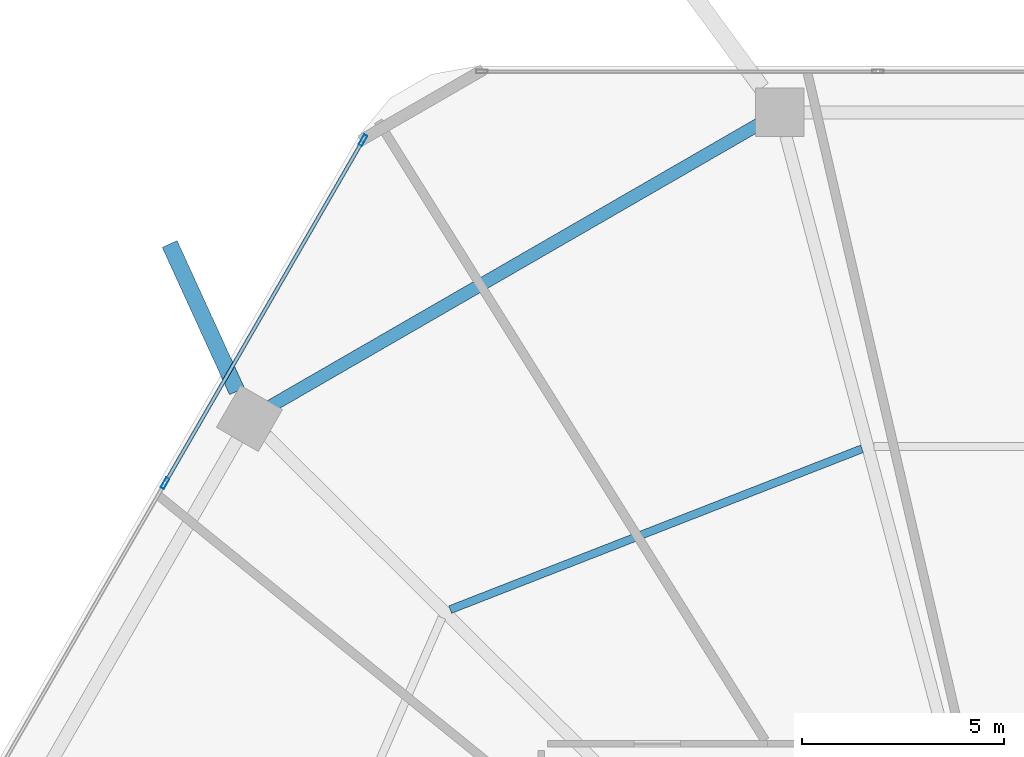
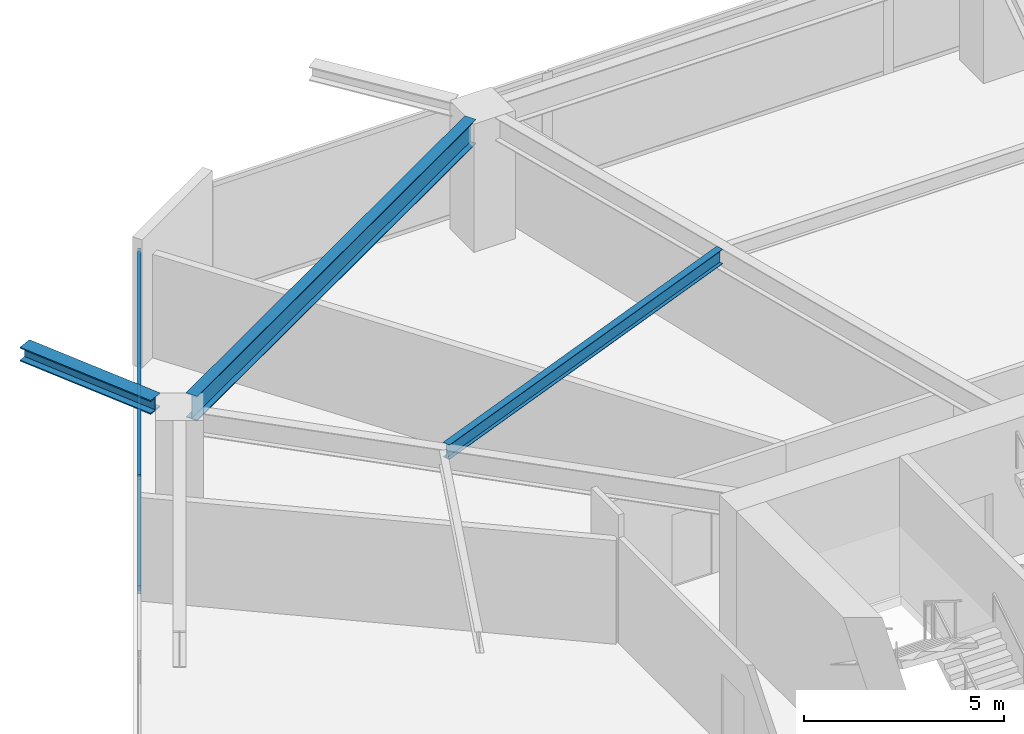
# One storey, part 14 of 25: 4 members, 3 beams, 1 element without a shape of its own.
"""IFC4 building model written with IfcOpenShell, lengths in metres."""

from ifc_helpers import new_model, si_unit, direction, frame, origin, origin_2d, place, context, subcontext, project, spatial, hollow_rectangle, i_section, extrude, material, material_profile, profile_set, type_object, element, aggregate, save


model = new_model("IFC4")

# Units and contexts
model_context = context("Model", 3, precision=1e-05, world=origin(), true_north=direction((0.0, 1.0)))
body_context = subcontext(model_context, "Body", "Model", "MODEL_VIEW")
ifc_project = project(units=[si_unit("LENGTHUNIT", "METRE"), si_unit("AREAUNIT", "SQUARE_METRE"), si_unit("VOLUMEUNIT", "CUBIC_METRE"), si_unit("PLANEANGLEUNIT", "RADIAN"), si_unit("MASSUNIT", "GRAM", prefix="KILO")], contexts=[model_context])

# Site, building, storey
site_placement = place(None, origin())
site = spatial("IfcSite", under=ifc_project, at=site_placement, CompositionType="ELEMENT")
building_placement = place(site_placement, origin())
building = spatial("IfcBuilding", under=site, at=building_placement, Name="Zuhravey Tower", CompositionType="ELEMENT")
storey_placement = place(building_placement, frame((0.0, 0.0, 37.199951171875)))
storey = spatial("IfcBuildingStorey", under=building, at=storey_placement, Name="L09", CompositionType="ELEMENT", Elevation=37.199951171875)

# Curtain wall, members
ifc_material_1 = material(Name="Thermally broken anodised aluminium", Category="aluminium")
curtain_wall_type = type_object("IfcCurtainWallType", Name="School Low-E Unitised Curtain Wall CW1", PredefinedType="NOTDEFINED", material=ifc_material_1)
curtain_wall_placement = place(storey_placement, origin())
curtain_wall = element("IfcCurtainWall", 1, at=curtain_wall_placement, inside=storey, type_object=curtain_wall_type, Name="L09 CW1 CW-L09-F3-1", PredefinedType="NOTDEFINED")
ifc_material_2 = material(Name="Anodised aluminium", Category="aluminium")
ifc_material_profile_1 = material_profile(ifc_material_2, hollow_rectangle(XDim=0.090087890625, YDim=0.284912109375, WallThickness=0.0048828125, at=origin_2d()), Name="ALU-RHS-90x285x5")
ifc_profile_set_1 = profile_set([ifc_material_profile_1], Name="Anodised aluminium")
member_type_1 = type_object("IfcMemberType", Name="Curtain-Wall Mullion 90x180", PredefinedType="MULLION", material=ifc_profile_set_1)
member_1_placement = place(storey_placement, frame((13.387939453125, 50.75146484375, 0.0), z_axis=(0.0, 0.0, 1.0), x_axis=(-0.86602552265, 0.499999794119, 0.0)))
member_1 = element("IfcMember", 2, at=member_1_placement, type_object=member_type_1, Name="CW1 mullion 3", PredefinedType="MULLION", context=body_context, shape_type="SweptSolid", body=[
    extrude(hollow_rectangle(XDim=0.090087890625, YDim=0.284912109375, WallThickness=0.0048828125, at=origin_2d()), origin(), (0.0, 0.0, 1.0), 3.491943359375),
])
member_2_placement = place(storey_placement, frame((18.298583984375, 59.257080078125, 0.0), z_axis=(0.0, 0.0, 1.0), x_axis=(-0.86602552265, 0.499999794119, 0.0)))
member_2 = element("IfcMember", 3, at=member_2_placement, type_object=member_type_1, Name="CW1 mullion 4", PredefinedType="MULLION", context=body_context, shape_type="SweptSolid", body=[
    extrude(hollow_rectangle(XDim=0.090087890625, YDim=0.284912109375, WallThickness=0.0048828125, at=origin_2d()), origin(), (0.0, 0.0, 1.0), 3.491943359375),
])
ifc_material_profile_2 = material_profile(ifc_material_2, hollow_rectangle(XDim=0.090087890625, YDim=0.14990234375, WallThickness=0.0048828125, at=origin_2d()), Name="ALU-RHS-90x150x5")
ifc_profile_set_2 = profile_set([ifc_material_profile_2], Name="Anodised aluminium")
member_type_2 = type_object("IfcMemberType", Name="Curtain-Wall Transom 90x150", PredefinedType="USERDEFINED", material=ifc_profile_set_2)
member_3_placement = place(storey_placement, frame((13.410400390625, 50.79052734375, 0.045166015625), z_axis=(0.499989576763, 0.86603142156, 0.0), x_axis=(-0.86603142156, 0.499989576763, 0.0)))
member_3 = element("IfcMember", 4, at=member_3_placement, type_object=member_type_2, Name="CW1 transom 3.1", ObjectType="TRANSOM", PredefinedType="USERDEFINED", context=body_context, shape_type="SweptSolid", body=[
    extrude(hollow_rectangle(XDim=0.090087890625, YDim=0.14990234375, WallThickness=0.0048828125, at=origin_2d()), origin(), (0.0, 0.0, 1.0), 9.731201171875),
])
member_4_placement = place(storey_placement, frame((13.410400390625, 50.79052734375, 3.447021484375), z_axis=(0.499989576763, 0.86603142156, 0.0), x_axis=(-0.86603142156, 0.499989576763, 0.0)))
member_4 = element("IfcMember", 5, at=member_4_placement, type_object=member_type_2, Name="CW1 transom 3.2", ObjectType="TRANSOM", PredefinedType="USERDEFINED", context=body_context, shape_type="SweptSolid", body=[
    extrude(hollow_rectangle(XDim=0.090087890625, YDim=0.14990234375, WallThickness=0.0048828125, at=origin_2d()), origin(), (0.0, 0.0, 1.0), 9.731201171875),
])
aggregate(curtain_wall, [member_1, member_2, member_3, member_4])

# Beams
ifc_material_3 = material(Name="Steel SM460", Category="steel")
ifc_material_profile_3 = material_profile(ifc_material_3, i_section(OverallWidth=0.406982421875, OverallDepth=0.427978515625, WebThickness=0.02001953125, FlangeThickness=0.034912109375, at=origin_2d()), Name="H-428x407x20x35")
ifc_profile_set_3 = profile_set([ifc_material_profile_3], Name="Steel SM460")
beam_type_1 = type_object("IfcBeamType", Name="Exoskeleton Node Tie Beam H428x407", PredefinedType="BEAM", material=ifc_profile_set_3)
beam_1_placement = place(storey_placement, frame((15.173095703125, 53.030029296875, 3.7060546875), z_axis=(-0.415934923193, 0.909394380711, 0.0), x_axis=(-0.909394380711, -0.415934923193, 0.0)))
element("IfcBeam", 6, at=beam_1_placement, inside=storey, type_object=beam_type_1, Name="L09 Exoskeleton Node Tie NT1-05", PredefinedType="BEAM", context=body_context, shape_type="SweptSolid", body=[
    extrude(i_section(OverallWidth=0.406982421875, OverallDepth=0.427978515625, WebThickness=0.02001953125, FlangeThickness=0.034912109375, at=origin_2d()), origin(), (0.0, 0.0, 1.0), 4.018310546875),
])
ifc_material_4 = material(Name="Steel SM355", Category="steel")
ifc_material_profile_4 = material_profile(ifc_material_4, i_section(OverallWidth=0.320068359375, OverallDepth=0.75, WebThickness=0.013916015625, FlangeThickness=0.02490234375, at=origin_2d()), Name="H-750x320x14x25")
ifc_profile_set_4 = profile_set([ifc_material_profile_4], Name="Steel SM355")
beam_type_2 = type_object("IfcBeamType", Name="Perimeter Ring Beam H750x320", PredefinedType="BEAM", material=ifc_profile_set_4)
beam_2_placement = place(storey_placement, frame((28.10791015625, 59.64697265625, 3.545166015625), z_axis=(-0.866029969761, -0.499992091414, 0.0), x_axis=(0.499992091414, -0.866029969761, 0.0)))
element("IfcBeam", 7, at=beam_2_placement, inside=storey, type_object=beam_type_2, Name="L09 PB1 BM-L09-PB-04", PredefinedType="BEAM", context=body_context, shape_type="SweptSolid", body=[
    extrude(i_section(OverallWidth=0.320068359375, OverallDepth=0.75, WebThickness=0.013916015625, FlangeThickness=0.02490234375, at=origin_2d()), origin(), (0.0, 0.0, 1.0), 13.977294921875),
])
ifc_material_profile_5 = material_profile(ifc_material_4, i_section(OverallWidth=0.199951171875, OverallDepth=0.449951171875, WebThickness=0.009033203125, FlangeThickness=0.013916015625, at=origin_2d()), Name="H-450x200x9x14")
ifc_profile_set_5 = profile_set([ifc_material_profile_5], Name="Steel SM355")
beam_type_3 = type_object("IfcBeamType", Name="Secondary Floor Joist H450x200", PredefinedType="JOIST", material=ifc_profile_set_5)
beam_3_placement = place(storey_placement, frame((30.67236328125, 51.60302734375, 3.695068359375), z_axis=(-0.931516535886, -0.363698973562, 0.0), x_axis=(0.363698973562, -0.931516535886, 0.0)))
element("IfcBeam", 8, at=beam_3_placement, inside=storey, type_object=beam_type_3, Name="L09 SJ1 BM-L09-SJ-04-1", PredefinedType="JOIST", context=body_context, shape_type="SweptSolid", body=[
    extrude(i_section(OverallWidth=0.199951171875, OverallDepth=0.449951171875, WebThickness=0.009033203125, FlangeThickness=0.013916015625, at=origin_2d()), origin(), (0.0, 0.0, 1.0), 10.963134765625),
])

save(model, "model.ifc")
